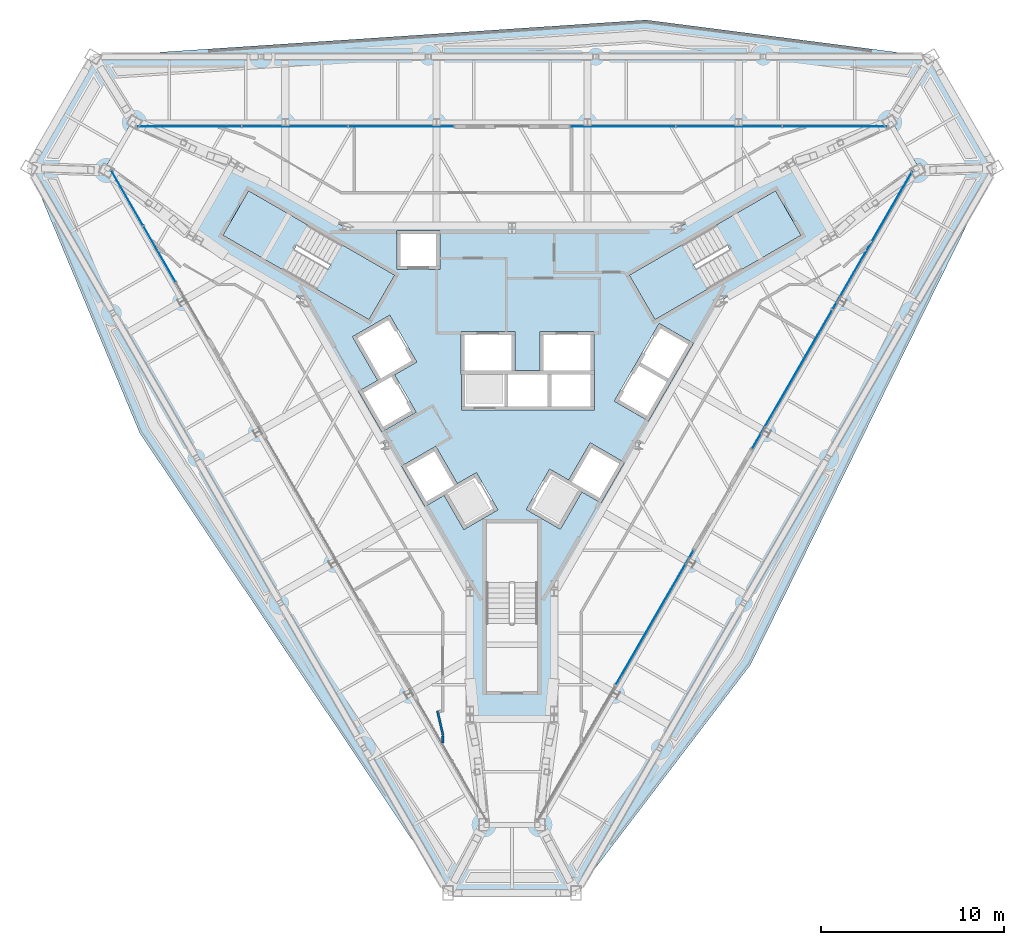
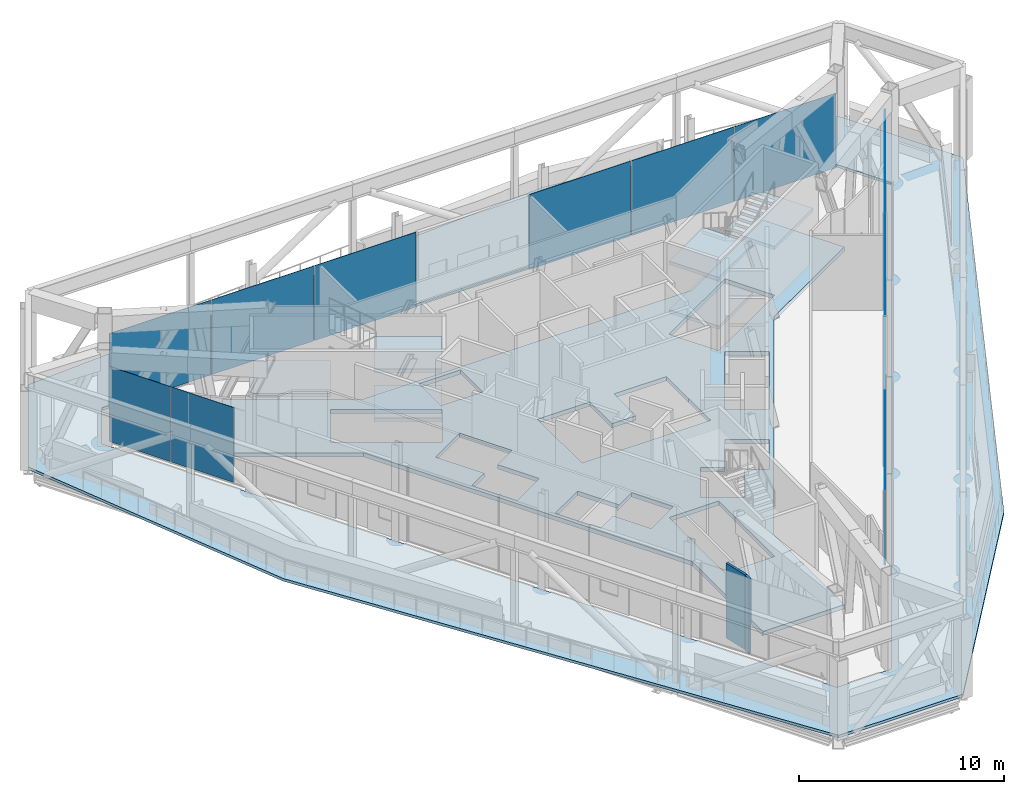
# One storey, part 14 of 25: 11 plates, 8 slabs, 2 walls, 7 elements without a shape of their own.
"""IFC4 building model written with IfcOpenShell, lengths in metres."""

from ifc_helpers import new_model, si_unit, direction, frame, frame_2d, origin, origin_2d, place, context, subcontext, project, spatial, polyline, rectangle, outline, extrude, material, layer, layer_set, type_object, element, aggregate, save


model = new_model("IFC4")

# Units and contexts
model_context = context("Model", 3, precision=1e-05, world=origin(), true_north=direction((0.0, 1.0)))
body_context = subcontext(model_context, "Body", "Model", "MODEL_VIEW")
ifc_project = project(units=[si_unit("LENGTHUNIT", "METRE"), si_unit("AREAUNIT", "SQUARE_METRE"), si_unit("VOLUMEUNIT", "CUBIC_METRE"), si_unit("PLANEANGLEUNIT", "RADIAN"), si_unit("MASSUNIT", "GRAM", prefix="KILO")], contexts=[model_context])

# Site, building, storey
site_placement = place(None, origin())
site = spatial("IfcSite", under=ifc_project, at=site_placement, CompositionType="ELEMENT")
building_placement = place(site_placement, origin())
building = spatial("IfcBuilding", under=site, at=building_placement, Name="Verrane Prism Tower", CompositionType="ELEMENT")
storey_placement = place(building_placement, frame((0.0, 0.0, 258.199951171875)))
storey = spatial("IfcBuildingStorey", under=building, at=storey_placement, Name="L65", CompositionType="ELEMENT", Elevation=258.199951171875)

# Slab
ifc_material_1 = material(Name="Concrete C40/50", Category="concrete")
ifc_layer_1 = layer(ifc_material_1, 0.25)
ifc_layer_set_1 = layer_set([ifc_layer_1], Name="Core floor slab 250 concrete C40/50")
slab_type_1 = type_object("IfcSlabType", Name="Core floor slab 250 concrete C40/50", PredefinedType="FLOOR", material=ifc_layer_set_1)
slab_1_placement = place(storey_placement, frame((0.0, 0.0, -0.25)))
element("IfcSlab", 1, at=slab_1_placement, inside=storey, type_object=slab_type_1, Name="Core floor L65", PredefinedType="FLOOR", context=body_context, shape_type="SweptSolid", body=[
    extrude(outline(polyline([(11.56005859375, 4.02001953125), (17.52001953125, 7.4599609375), (15.219970703125, 11.43994140625), (9.260009765625, 8.0), (0.0, 8.0), (-9.260009765625, 8.0), (-15.219970703125, 11.43994140625), (-17.52001953125, 7.4599609375), (-11.56005859375, 4.02001953125), (-6.929931640625, -4.0), (-2.300048828125, -12.02001953125), (-2.300048828125, -18.89990234375), (2.300048828125, -18.89990234375), (2.300048828125, -12.02001953125), (6.929931640625, -4.0), (11.56005859375, 4.02001953125)]), holes=[polyline([(-1.39990234375, -8.199951171875), (1.39990234375, -8.199951171875), (1.39990234375, -13.639892578125), (-1.39990234375, -13.639892578125), (-1.39990234375, -8.199951171875)]), polyline([(-3.154052734375, -6.156982421875), (-1.94189453125, -5.45703125), (-0.76708984375, -7.491943359375), (-2.62890625, -8.56689453125), (-3.7041015625, -6.705078125), (-4.742919921875, -7.304931640625), (-6.01806640625, -5.096923828125), (-4.156005859375, -4.02197265625), (-2.98095703125, -6.056884765625), (-3.154052734375, -6.156982421875)]), polyline([(-7.801025390625, 2.887939453125), (-12.512939453125, 5.60791015625), (-11.113037109375, 8.031982421875), (-6.40087890625, 5.31201171875), (-7.801025390625, 2.887939453125)]), polyline([(-3.93505859375, 5.610107421875), (-6.284912109375, 5.610107421875), (-6.284912109375, 7.760009765625), (-3.93505859375, 7.760009765625), (-3.93505859375, 5.610107421875)]), polyline([(2.638916015625, -8.550048828125), (0.777099609375, -7.47509765625), (2.052001953125, -5.26611328125), (3.091064453125, -5.865966796875), (4.26611328125, -3.8310546875), (6.1279296875, -4.906005859375), (4.85302734375, -7.114990234375), (3.81396484375, -6.514892578125), (2.638916015625, -8.550048828125)]), polyline([(9.887939453125, 1.60595703125), (7.43798828125, -2.636962890625), (5.575927734375, -1.56201171875), (8.02587890625, 2.680908203125), (9.887939453125, 1.60595703125)]), polyline([(0.1650390625, 0.10009765625), (1.52490234375, 0.10009765625), (1.52490234375, 2.25), (4.47509765625, 2.25), (4.47509765625, 0.10009765625), (4.4951171875, 0.10009765625), (4.4951171875, -2.050048828125), (-2.7548828125, -2.050048828125), (-2.7548828125, -0.10009765625), (-2.784912109375, -0.10009765625), (-2.784912109375, 2.25), (0.1650390625, 2.25), (0.1650390625, 0.10009765625)]), polyline([(6.40087890625, 5.31201171875), (11.113037109375, 8.031982421875), (12.512939453125, 5.60791015625), (7.801025390625, 2.887939453125), (6.40087890625, 5.31201171875)]), polyline([(-5.23095703125, -2.159912109375), (-7.093017578125, -3.235107421875), (-8.367919921875, -1.02587890625), (-7.3291015625, -0.426025390625), (-8.7041015625, 1.955078125), (-6.66796875, 3.1298828125), (-5.193115234375, 0.574951171875), (-6.406005859375, -0.125), (-5.23095703125, -2.159912109375)])]), origin(), (0.0, 0.0, 1.0), 0.25),
])

# Curtain wall, plates
ifc_material_2 = material(Name="Aluminium framed insulated glazing", Category="aluminium")
curtain_wall_type_1 = type_object("IfcCurtainWallType", Name="Curtain wall CW-C 4200 module", PredefinedType="NOTDEFINED", material=ifc_material_2)
curtain_wall_1_placement = place(storey_placement, origin())
curtain_wall_1 = element("IfcCurtainWall", 2, at=curtain_wall_1_placement, inside=storey, type_object=curtain_wall_type_1, Name="Refuge lounge glazing south-west face L65 1", PredefinedType="NOTDEFINED")
ifc_material_3 = material(Name="Low-iron insulating glass unit", Category="glass")
ifc_layer_2 = layer(ifc_material_3, 0.02392578125)
ifc_layer_set_2 = layer_set([ifc_layer_2], Name="Glazing panel IGU 24")
plate_type_1 = type_object("IfcPlateType", Name="Glazing panel IGU 24", PredefinedType="CURTAIN_PANEL", material=ifc_layer_set_2)
plate_1_placement = place(storey_placement, frame((-20.995361328125, 9.521728515625, 0.0498046875), z_axis=(0.0, 0.0, 1.0), x_axis=(0.499997421516, -0.866026892468, 0.0)))
plate_1 = element("IfcPlate", 3, at=plate_1_placement, type_object=plate_type_1, Name="CW65.4.1 panel 1", PredefinedType="CURTAIN_PANEL", context=body_context, shape_type="SweptSolid", body=[
    extrude(rectangle(XDim=3.475341796875, YDim=0.02392578125, at=origin_2d()), origin(), (0.0, 0.0, 1.0), 4.472412109375),
])
plate_2_placement = place(storey_placement, frame((-19.2265625, 6.457763671875, 0.0498046875), z_axis=(0.0, 0.0, 1.0), x_axis=(0.499997421516, -0.866026892468, 0.0)))
plate_2 = element("IfcPlate", 4, at=plate_2_placement, type_object=plate_type_1, Name="CW65.4.1 panel 2", PredefinedType="CURTAIN_PANEL", context=body_context, shape_type="SweptSolid", body=[
    extrude(rectangle(XDim=3.500244140625, YDim=0.02392578125, at=origin_2d()), origin(), (0.0, 0.0, 1.0), 4.472412109375),
])
aggregate(curtain_wall_1, [plate_1, plate_2])

ifc_material_4 = material(Name="Aluminium framed insulated glazing", Category="aluminium")
curtain_wall_type_2 = type_object("IfcCurtainWallType", Name="Curtain wall CW-B 5600 module", PredefinedType="NOTDEFINED", material=ifc_material_4)
curtain_wall_2_placement = place(storey_placement, origin())
curtain_wall_2 = element("IfcCurtainWall", 5, at=curtain_wall_2_placement, inside=storey, type_object=curtain_wall_type_2, Name="Refuge lounge glazing north face L65 1", PredefinedType="NOTDEFINED")
ifc_material_5 = material(Name="Low-iron insulating glass unit", Category="glass")
ifc_layer_3 = layer(ifc_material_5, 0.028076171875)
ifc_layer_set_3 = layer_set([ifc_layer_3], Name="Glazing panel IGU 28")
plate_type_2 = type_object("IfcPlateType", Name="Glazing panel IGU 28", PredefinedType="CURTAIN_PANEL", material=ifc_layer_set_3)
plate_3_placement = place(storey_placement, frame((17.6162109375, 13.421875, 0.06005859375), z_axis=(0.0, 0.0, 1.0), x_axis=(-1.0, 0.0, 0.0)))
plate_3 = element("IfcPlate", 6, at=plate_3_placement, type_object=plate_type_2, Name="CW65.2.1 panel 1", PredefinedType="CURTAIN_PANEL", context=body_context, shape_type="SweptSolid", body=[
    extrude(rectangle(XDim=5.71044921875, YDim=0.028076171875, at=origin_2d()), origin(), (0.0, 0.0, 1.0), 4.46240234375),
])
plate_4_placement = place(storey_placement, frame((11.830810546875, 13.421875, 0.06005859375), z_axis=(0.0, 0.0, 1.0), x_axis=(-1.0, 0.0, 0.0)))
plate_4 = element("IfcPlate", 7, at=plate_4_placement, type_object=plate_type_2, Name="CW65.2.1 panel 2", PredefinedType="CURTAIN_PANEL", context=body_context, shape_type="SweptSolid", body=[
    extrude(rectangle(XDim=5.740478515625, YDim=0.028076171875, at=origin_2d()), origin(), (0.0, 0.0, 1.0), 4.46240234375),
])
plate_5_placement = place(storey_placement, frame((6.045166015625, 13.421875, 0.06005859375), z_axis=(0.0, 0.0, 1.0), x_axis=(-1.0, 0.0, 0.0)))
plate_5 = element("IfcPlate", 8, at=plate_5_placement, type_object=plate_type_2, Name="CW65.2.1 panel 3", PredefinedType="CURTAIN_PANEL", context=body_context, shape_type="SweptSolid", body=[
    extrude(rectangle(XDim=5.71044921875, YDim=0.028076171875, at=origin_2d()), origin(), (0.0, 0.0, 1.0), 4.46240234375),
])
aggregate(curtain_wall_2, [plate_3, plate_4, plate_5])

curtain_wall_3_placement = place(storey_placement, origin())
curtain_wall_3 = element("IfcCurtainWall", 9, at=curtain_wall_3_placement, inside=storey, type_object=curtain_wall_type_2, Name="Refuge lounge glazing north face L65 2", PredefinedType="NOTDEFINED")
plate_6_placement = place(storey_placement, frame((-6.045166015625, 13.421875, 0.06005859375), z_axis=(0.0, 0.0, 1.0), x_axis=(-1.0, 0.0, 0.0)))
plate_6 = element("IfcPlate", 10, at=plate_6_placement, type_object=plate_type_2, Name="CW65.2.2 panel 1", PredefinedType="CURTAIN_PANEL", context=body_context, shape_type="SweptSolid", body=[
    extrude(rectangle(XDim=5.71044921875, YDim=0.028076171875, at=origin_2d()), origin(), (0.0, 0.0, 1.0), 4.46240234375),
])
plate_7_placement = place(storey_placement, frame((-11.830810546875, 13.421875, 0.06005859375), z_axis=(0.0, 0.0, 1.0), x_axis=(-1.0, 0.0, 0.0)))
plate_7 = element("IfcPlate", 11, at=plate_7_placement, type_object=plate_type_2, Name="CW65.2.2 panel 2", PredefinedType="CURTAIN_PANEL", context=body_context, shape_type="SweptSolid", body=[
    extrude(rectangle(XDim=5.740478515625, YDim=0.028076171875, at=origin_2d()), origin(), (0.0, 0.0, 1.0), 4.46240234375),
])
plate_8_placement = place(storey_placement, frame((-17.6162109375, 13.421875, 0.06005859375), z_axis=(0.0, 0.0, 1.0), x_axis=(-1.0, 0.0, 0.0)))
plate_8 = element("IfcPlate", 12, at=plate_8_placement, type_object=plate_type_2, Name="CW65.2.2 panel 3", PredefinedType="CURTAIN_PANEL", context=body_context, shape_type="SweptSolid", body=[
    extrude(rectangle(XDim=5.71044921875, YDim=0.028076171875, at=origin_2d()), origin(), (0.0, 0.0, 1.0), 4.46240234375),
])
aggregate(curtain_wall_3, [plate_6, plate_7, plate_8])

# Curtain wall, plate
ifc_material_6 = material(Name="Aluminium framed insulated glazing", Category="aluminium")
curtain_wall_type_3 = type_object("IfcCurtainWallType", Name="Curtain wall CW-A 8400 module", PredefinedType="NOTDEFINED", material=ifc_material_6)
curtain_wall_4_placement = place(storey_placement, origin())
curtain_wall_4 = element("IfcCurtainWall", 13, at=curtain_wall_4_placement, inside=storey, type_object=curtain_wall_type_3, Name="Refuge lounge glazing south-east face L65 1", PredefinedType="NOTDEFINED")
ifc_material_7 = material(Name="Low-iron insulating glass unit", Category="glass")
ifc_layer_4 = layer(ifc_material_7, 0.031982421875)
ifc_layer_set_4 = layer_set([ifc_layer_4], Name="Glazing panel IGU 32")
plate_type_3 = type_object("IfcPlateType", Name="Glazing panel IGU 32", PredefinedType="CURTAIN_PANEL", material=ifc_layer_set_4)
plate_9_placement = place(storey_placement, frame((7.782470703125, -13.364013671875, 0.06982421875), z_axis=(0.0, 0.0, 1.0), x_axis=(0.499997784185, 0.866026683082, 0.0)))
plate_9 = element("IfcPlate", 14, at=plate_9_placement, type_object=plate_type_3, Name="CW65.6.1 panel 2", PredefinedType="CURTAIN_PANEL", context=body_context, shape_type="SweptSolid", body=[
    extrude(rectangle(XDim=8.47265625, YDim=0.031982421875, at=origin_2d()), origin(), (0.0, 0.0, 1.0), 4.452392578125),
])
aggregate(curtain_wall_4, [plate_9])

# Curtain wall, plates
curtain_wall_5_placement = place(storey_placement, origin())
curtain_wall_5 = element("IfcCurtainWall", 15, at=curtain_wall_5_placement, inside=storey, type_object=curtain_wall_type_3, Name="Refuge lounge glazing south-east face L65 2", PredefinedType="NOTDEFINED")
plate_10_placement = place(storey_placement, frame((15.2802734375, -0.377197265625, 0.06982421875), z_axis=(0.0, 0.0, 1.0), x_axis=(0.499998123049, 0.86602648744, 0.0)))
plate_10 = element("IfcPlate", 16, at=plate_10_placement, type_object=plate_type_3, Name="CW65.6.2 panel 1", PredefinedType="CURTAIN_PANEL", context=body_context, shape_type="SweptSolid", body=[
    extrude(rectangle(XDim=8.71875, YDim=0.031982421875, at=origin_2d()), origin(), (0.0, 0.0, 1.0), 4.452392578125),
])
plate_11_placement = place(storey_placement, frame((19.674560546875, 7.23388671875, 0.06982421875), z_axis=(0.0, 0.0, 1.0), x_axis=(0.499998123049, 0.86602648744, 0.0)))
plate_11 = element("IfcPlate", 17, at=plate_11_placement, type_object=plate_type_3, Name="CW65.6.2 panel 2", PredefinedType="CURTAIN_PANEL", context=body_context, shape_type="SweptSolid", body=[
    extrude(rectangle(XDim=8.71875, YDim=0.031982421875, at=origin_2d()), origin(), (0.0, 0.0, 1.0), 4.452392578125),
])
aggregate(curtain_wall_5, [plate_10, plate_11])

# Slab
ifc_material_8 = material(Name="Concrete C35/45", Category="concrete")
ifc_layer_5 = layer(ifc_material_8, 0.159912109375)
ifc_layer_set_5 = layer_set([ifc_layer_5], Name="Refuge terrace slab")
slab_type_2 = type_object("IfcSlabType", Name="Refuge terrace slab", PredefinedType="FLOOR", material=ifc_layer_set_5)
slab_2_placement = place(storey_placement, frame((0.0, 0.0, -0.159912109375)))
element("IfcSlab", 18, at=slab_2_placement, inside=storey, type_object=slab_type_2, Name="Refuge terrace slab L65", PredefinedType="FLOOR", context=body_context, shape_type="SweptSolid", body=[
    extrude(outline(polyline([(3.5029296875, -28.392578125), (-3.5029296875, -28.392578125), (-20.3076171875, -3.2861328125), (-26.340087890625, 11.16259765625), (-22.837158203125, 17.22998046875), (7.307861328125, 19.22998046875), (22.837158203125, 17.22998046875), (26.340087890625, 11.16259765625), (12.999755859375, -15.94384765625), (3.5029296875, -28.392578125)]), holes=[polyline([(22.235595703125, 11.06982421875), (20.70458984375, 13.7216796875), (-20.70458984375, 13.7216796875), (-22.235595703125, 11.06982421875), (-1.531005859375, -24.79150390625), (1.531005859375, -24.79150390625), (22.235595703125, 11.06982421875)])]), origin(), (0.0, 0.0, 1.0), 0.159912109375),
])

# Stair, slabs
ifc_material_9 = material(Name="Concrete C40/50", Category="concrete")
stair_type = type_object("IfcStairType", Name="Exit stair 1300 dog-leg precast concrete C40/50", PredefinedType="HALF_TURN_STAIR", material=ifc_material_9)
stair_1_placement = place(storey_placement, origin())
stair_1 = element("IfcStair", 19, at=stair_1_placement, inside=storey, type_object=stair_type, Name="Stair 1 L65", PredefinedType="HALF_TURN_STAIR")
ifc_material_10 = material(Name="Concrete C40/50", Category="concrete")
ifc_layer_6 = layer(ifc_material_10, 0.199951171875)
ifc_layer_set_6 = layer_set([ifc_layer_6], Name="Stair landing 200 precast concrete C40/50")
slab_type_3 = type_object("IfcSlabType", Name="Stair landing 200 precast concrete C40/50", PredefinedType="LANDING", material=ifc_layer_set_6)
slab_3_placement = place(storey_placement, frame((0.0, 0.0, 1.25)))
slab_3 = element("IfcSlab", 20, at=slab_3_placement, type_object=slab_type_3, Name="Stair 1 landing 1", PredefinedType="LANDING", context=body_context, shape_type="SweptSolid", body=[
    extrude(outline(polyline([(9.276611328125, 6.972412109375), (6.4013671875, 5.3125), (7.801513671875, 2.887451171875), (10.676513671875, 4.547607421875), (9.276611328125, 6.972412109375)])), origin(), (0.0, 0.0, 1.0), 0.199951171875),
])
slab_4_placement = place(storey_placement, frame((0.0, 0.0, 2.699951171875)))
slab_4 = element("IfcSlab", 21, at=slab_4_placement, type_object=slab_type_3, Name="Stair 1 landing 2", PredefinedType="LANDING", context=body_context, shape_type="SweptSolid", body=[
    extrude(outline(polyline([(14.368896484375, 9.912353515625), (11.112548828125, 8.032470703125), (12.5126953125, 5.607666015625), (15.768798828125, 7.487548828125), (14.368896484375, 9.912353515625)])), origin(), (0.0, 0.0, 1.0), 0.2001953125),
])
slab_5_placement = place(storey_placement, frame((0.0, 0.0, 4.150146484375)))
slab_5 = element("IfcSlab", 22, at=slab_5_placement, type_object=slab_type_3, Name="Stair 1 landing 3", PredefinedType="LANDING", context=body_context, shape_type="SweptSolid", body=[
    extrude(outline(polyline([(9.276611328125, 6.972412109375), (6.4013671875, 5.3125), (7.801513671875, 2.887451171875), (10.676513671875, 4.547607421875), (9.276611328125, 6.972412109375)])), origin(), (0.0, 0.0, 1.0), 0.199951171875),
])
aggregate(stair_1, [slab_3, slab_4, slab_5])

stair_2_placement = place(storey_placement, origin())
stair_2 = element("IfcStair", 23, at=stair_2_placement, inside=storey, type_object=stair_type, Name="Stair 2 L65", PredefinedType="HALF_TURN_STAIR")
slab_6_placement = place(storey_placement, frame((0.0, 0.0, 1.25)))
slab_6 = element("IfcSlab", 24, at=slab_6_placement, type_object=slab_type_3, Name="Stair 2 landing 1", PredefinedType="LANDING", context=body_context, shape_type="SweptSolid", body=[
    extrude(outline(polyline([(-10.676513671875, 4.547607421875), (-7.801513671875, 2.887451171875), (-6.4013671875, 5.3125), (-9.276611328125, 6.972412109375), (-10.676513671875, 4.547607421875)])), origin(), (0.0, 0.0, 1.0), 0.199951171875),
])
slab_7_placement = place(storey_placement, frame((0.0, 0.0, 2.699951171875)))
slab_7 = element("IfcSlab", 25, at=slab_7_placement, type_object=slab_type_3, Name="Stair 2 landing 2", PredefinedType="LANDING", context=body_context, shape_type="SweptSolid", body=[
    extrude(outline(polyline([(-15.768798828125, 7.487548828125), (-12.5126953125, 5.607666015625), (-11.112548828125, 8.032470703125), (-14.368896484375, 9.912353515625), (-15.768798828125, 7.487548828125)])), origin(), (0.0, 0.0, 1.0), 0.2001953125),
])
slab_8_placement = place(storey_placement, frame((0.0, 0.0, 4.150146484375)))
slab_8 = element("IfcSlab", 26, at=slab_8_placement, type_object=slab_type_3, Name="Stair 2 landing 3", PredefinedType="LANDING", context=body_context, shape_type="SweptSolid", body=[
    extrude(outline(polyline([(-10.676513671875, 4.547607421875), (-7.801513671875, 2.887451171875), (-6.4013671875, 5.3125), (-9.276611328125, 6.972412109375), (-10.676513671875, 4.547607421875)])), origin(), (0.0, 0.0, 1.0), 0.199951171875),
])
aggregate(stair_2, [slab_6, slab_7, slab_8])

# Walls
ifc_material_11 = material(Name="Gypsum board partition", Category="other")
ifc_layer_7 = layer(ifc_material_11, 0.125)
ifc_layer_set_7 = layer_set([ifc_layer_7], Name="PW-125 corridor wall 1 h")
wall_type = type_object("IfcWallType", Name="PW-125 corridor wall 1 h", PredefinedType="PARTITIONING", material=ifc_layer_set_7)
wall_1_placement = place(storey_placement, frame((-4.069091796875, -18.451171875, 0.0), z_axis=(0.0, 0.0, 1.0), x_axis=(0.224589971175, -0.974453356938, 0.0)))
element("IfcWall", 27, at=wall_1_placement, inside=storey, type_object=wall_type, Name="Corridor wall 013", PredefinedType="PARTITIONING", context=body_context, shape_type="SweptSolid", body=[
    extrude(rectangle(XDim=1.38916015625, YDim=0.125, at=frame_2d((0.694580078125, 0.0))), origin(), (0.0, 0.0, 1.0), 4.462158203125),
])
wall_2_placement = place(storey_placement, frame((-3.77099609375, -20.199951171875, 0.0), z_axis=(0.0, 0.0, 1.0), x_axis=(0.0, 1.0, 0.0)))
element("IfcWall", 28, at=wall_2_placement, inside=storey, type_object=wall_type, Name="Corridor wall 015", PredefinedType="PARTITIONING", context=body_context, shape_type="SweptSolid", body=[
    extrude(rectangle(XDim=0.380859375, YDim=0.125, at=frame_2d((0.1904296875, 0.0))), origin(), (0.0, 0.0, 1.0), 4.462158203125),
])

save(model, "model.ifc")
